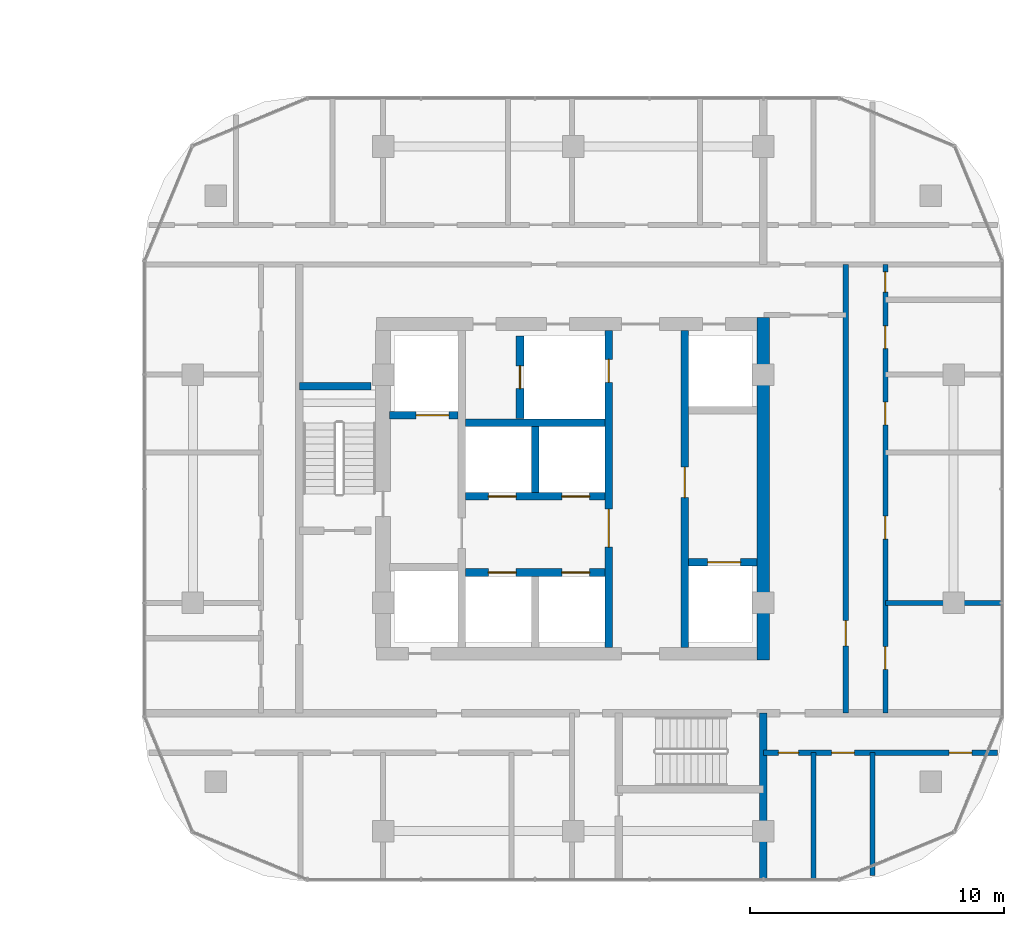
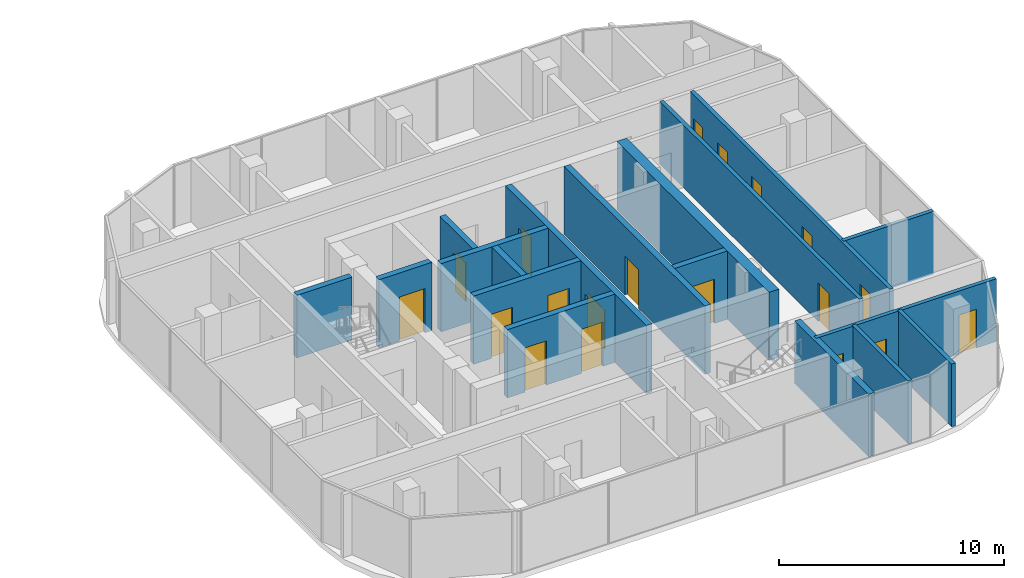
# One storey, part 22 of 32: 19 doors, 18 walls, 19 openings.
"""IFC4 building model written with IfcOpenShell, lengths in metres."""

from ifc_helpers import new_model, si_unit, direction, frame, frame_2d, origin, place, context, subcontext, project, spatial, rectangle, extrude, material, layer, layer_set, type_object, element, fill, save


model = new_model("IFC4")

# Units and contexts
model_context = context("Model", 3, precision=1e-05, world=origin(), true_north=direction((0.0, 1.0)))
body_context = subcontext(model_context, "Body", "Model", "MODEL_VIEW")
ifc_project = project(units=[si_unit("LENGTHUNIT", "METRE"), si_unit("AREAUNIT", "SQUARE_METRE"), si_unit("VOLUMEUNIT", "CUBIC_METRE"), si_unit("PLANEANGLEUNIT", "RADIAN"), si_unit("MASSUNIT", "GRAM", prefix="KILO")], contexts=[model_context])

# Site, building, storey
site_placement = place(None, origin())
site = spatial("IfcSite", under=ifc_project, at=site_placement, CompositionType="ELEMENT")
building_placement = place(site_placement, origin())
building = spatial("IfcBuilding", under=site, at=building_placement, Name="Ogive Portal Towers", CompositionType="ELEMENT")
storey_placement = place(building_placement, frame((0.0, 0.0, 59.39990234375)))
storey = spatial("IfcBuildingStorey", under=building, at=storey_placement, Name="L13", CompositionType="ELEMENT", Elevation=59.39990234375)

# Wall, openings, doors
ifc_material_1 = material(Name="Concrete C60/75", Category="concrete")
ifc_layer_1 = layer(ifc_material_1, 0.300048828125)
ifc_layer_set_1 = layer_set([ifc_layer_1], Name="CORE WALL 300 C60")
wall_type_1 = type_object("IfcWallType", Name="CORE WALL 300 C60", PredefinedType="SHEAR", material=ifc_layer_set_1)
wall_1_placement = place(storey_placement, frame((137.89990234375, 24.75, 0.0), z_axis=(0.0, 0.0, 1.0), x_axis=(0.0, 1.0, 0.0)))
wall_1 = element("IfcWall", 1, at=wall_1_placement, inside=storey, type_object=wall_type_1, Name="Tower B core wall BX2 L13", PredefinedType="SHEAR", context=body_context, shape_type="SweptSolid", body=[
    extrude(rectangle(XDim=12.5, YDim=0.300048828125, at=frame_2d((6.25, 0.0))), origin(), (0.0, 0.0, 1.0), 3.7001953125),
])
opening_1_placement = place(wall_1_placement, frame((3.949951171875, 0.0, 0.0)))
opening_1 = element("IfcOpeningElement", 2, at=opening_1_placement, cuts=wall_1, Name="Opening B03-040", PredefinedType="OPENING", context=body_context, shape_type="SweptSolid", body=[
    extrude(rectangle(XDim=1.5, YDim=2.10009765625, at=frame_2d((0.75, 1.050048828125))), frame((0.0, 0.16015625, 0.0), z_axis=(0.0, -1.0, 0.0), x_axis=(1.0, 0.0, 0.0)), (0.0, 0.0, 1.0), 0.320068359375),
])
opening_2_placement = place(wall_1_placement, frame((10.449951171875, 0.0, 0.0)))
opening_2 = element("IfcOpeningElement", 3, at=opening_2_placement, cuts=wall_1, Name="Opening B03-056", PredefinedType="OPENING", context=body_context, shape_type="SweptSolid", body=[
    extrude(rectangle(XDim=0.89990234375, YDim=2.10009765625, at=frame_2d((0.449951171875, 1.050048828125))), frame((0.0, 0.16015625, 0.0), z_axis=(0.0, -1.0, 0.0), x_axis=(1.0, 0.0, 0.0)), (0.0, 0.0, 1.0), 0.320068359375),
])
ifc_material_2 = material(Name="Steel fire door", Category="steel")
door_type_1 = type_object("IfcDoorType", Name="DT-SWING-1500x2100-FD90S", OperationType="SINGLE_SWING_LEFT", PredefinedType="DOOR", material=ifc_material_2)
door_1_placement = place(opening_1_placement, origin())
door_1 = element("IfcDoor", 4, at=door_1_placement, inside=storey, type_object=door_type_1, Name="Door B03-040", OperationType="SINGLE_SWING_RIGHT", OverallHeight=2.10009765625, OverallWidth=1.5, PredefinedType="DOOR", context=body_context, shape_type="SweptSolid", body=[
    extrude(rectangle(XDim=1.5, YDim=2.10009765625, at=frame_2d((0.75, 1.050048828125))), frame((0.0, 0.02490234375, 0.0), z_axis=(0.0, -1.0, 0.0), x_axis=(1.0, 0.0, 0.0)), (0.0, 0.0, 1.0), 0.050048828125),
])
fill(opening_1, door_1)
door_type_2 = type_object("IfcDoorType", Name="DT-SWING-900x2100-FD90S", OperationType="SINGLE_SWING_LEFT", PredefinedType="DOOR", material=ifc_material_2)
door_2_placement = place(opening_2_placement, origin())
door_2 = element("IfcDoor", 5, at=door_2_placement, inside=storey, type_object=door_type_2, Name="Riser access door B03-056", OperationType="SINGLE_SWING_RIGHT", OverallHeight=2.10009765625, OverallWidth=0.89990234375, PredefinedType="DOOR", context=body_context, shape_type="SweptSolid", body=[
    extrude(rectangle(XDim=0.89990234375, YDim=2.10009765625, at=frame_2d((0.449951171875, 1.050048828125))), frame((0.0, 0.02490234375, 0.0), z_axis=(0.0, -1.0, 0.0), x_axis=(1.0, 0.0, 0.0)), (0.0, 0.0, 1.0), 0.050048828125),
])
fill(opening_2, door_2)

# Wall, opening, door
wall_2_placement = place(storey_placement, frame((140.89990234375, 24.75, 0.0), z_axis=(0.0, 0.0, 1.0), x_axis=(0.0, 1.0, 0.0)))
wall_2 = element("IfcWall", 6, at=wall_2_placement, inside=storey, type_object=wall_type_1, Name="Tower B core wall BX3 L13", PredefinedType="SHEAR", context=body_context, shape_type="SweptSolid", body=[
    extrude(rectangle(XDim=12.5, YDim=0.300048828125, at=frame_2d((6.25, 0.0))), origin(), (0.0, 0.0, 1.0), 3.7001953125),
])
opening_3_placement = place(wall_2_placement, frame((5.89990234375, 0.0, 0.0)))
opening_3 = element("IfcOpeningElement", 7, at=opening_3_placement, cuts=wall_2, Name="Opening B03-042", PredefinedType="OPENING", context=body_context, shape_type="SweptSolid", body=[
    extrude(rectangle(XDim=1.199951171875, YDim=2.10009765625, at=frame_2d((0.60009765625, 1.050048828125))), frame((0.0, 0.16015625, 0.0), z_axis=(0.0, -1.0, 0.0), x_axis=(1.0, 0.0, 0.0)), (0.0, 0.0, 1.0), 0.320068359375),
])
door_type_3 = type_object("IfcDoorType", Name="DT-SWING-1200x2100-FD90S", OperationType="SINGLE_SWING_LEFT", PredefinedType="DOOR", material=ifc_material_2)
door_3_placement = place(opening_3_placement, origin())
door_3 = element("IfcDoor", 8, at=door_3_placement, inside=storey, type_object=door_type_3, Name="Door B03-042", OperationType="SINGLE_SWING_RIGHT", OverallHeight=2.10009765625, OverallWidth=1.199951171875, PredefinedType="DOOR", context=body_context, shape_type="SweptSolid", body=[
    extrude(rectangle(XDim=1.199951171875, YDim=2.10009765625, at=frame_2d((0.60009765625, 1.050048828125))), frame((0.0, 0.02490234375, 0.0), z_axis=(0.0, -1.0, 0.0), x_axis=(1.0, 0.0, 0.0)), (0.0, 0.0, 1.0), 0.050048828125),
])
fill(opening_3, door_3)

# Wall
wall_3_placement = place(storey_placement, frame((135.0, 30.85009765625, 0.0), z_axis=(0.0, 0.0, 1.0), x_axis=(0.0, 1.0, 0.0)))
element("IfcWall", 9, at=wall_3_placement, inside=storey, type_object=wall_type_1, Name="Tower B core wall BX5 L13", PredefinedType="SHEAR", context=body_context, shape_type="SweptSolid", body=[
    extrude(rectangle(XDim=2.599853515625, YDim=0.300048828125, at=frame_2d((1.2998046875, 0.0))), origin(), (0.0, 0.0, 1.0), 3.7001953125),
])

# Wall, openings, doors
wall_4_placement = place(storey_placement, frame((132.25, 27.699951171875, 0.0), z_axis=(0.0, 0.0, 1.0), x_axis=(1.0, 0.0, 0.0)))
wall_4 = element("IfcWall", 10, at=wall_4_placement, inside=storey, type_object=wall_type_1, Name="Tower B core wall BY1 L13", PredefinedType="SHEAR", context=body_context, shape_type="SweptSolid", body=[
    extrude(rectangle(XDim=5.5, YDim=0.300048828125, at=frame_2d((2.75, 0.0))), origin(), (0.0, 0.0, 1.0), 3.7001953125),
])
opening_4_placement = place(wall_4_placement, frame((0.89990234375, 0.0, 0.0)))
opening_4 = element("IfcOpeningElement", 11, at=opening_4_placement, cuts=wall_4, Name="Opening B03-048", PredefinedType="OPENING", context=body_context, shape_type="SweptSolid", body=[
    extrude(rectangle(XDim=1.10009765625, YDim=2.39990234375, at=frame_2d((0.550048828125, 1.199951171875))), frame((0.0, 0.16015625, 0.0), z_axis=(0.0, -1.0, 0.0), x_axis=(1.0, 0.0, 0.0)), (0.0, 0.0, 1.0), 0.320068359375),
])
opening_5_placement = place(wall_4_placement, frame((3.800048828125, 0.0, 0.0)))
opening_5 = element("IfcOpeningElement", 12, at=opening_5_placement, cuts=wall_4, Name="Opening B03-049", PredefinedType="OPENING", context=body_context, shape_type="SweptSolid", body=[
    extrude(rectangle(XDim=1.10009765625, YDim=2.39990234375, at=frame_2d((0.550048828125, 1.199951171875))), frame((0.0, 0.16015625, 0.0), z_axis=(0.0, -1.0, 0.0), x_axis=(1.0, 0.0, 0.0)), (0.0, 0.0, 1.0), 0.320068359375),
])
ifc_material_3 = material(Name="Stainless steel", Category="steel")
door_type_4 = type_object("IfcDoorType", Name="DT-LD-1100x2400", OperationType="SLIDING_TO_LEFT", PredefinedType="DOOR", material=ifc_material_3)
door_4_placement = place(opening_4_placement, origin())
door_4 = element("IfcDoor", 13, at=door_4_placement, inside=storey, type_object=door_type_4, Name="Door B03-048", OperationType="SLIDING_TO_LEFT", OverallHeight=2.39990234375, OverallWidth=1.10009765625, PredefinedType="DOOR", context=body_context, shape_type="SweptSolid", body=[
    extrude(rectangle(XDim=1.10009765625, YDim=2.39990234375, at=frame_2d((0.550048828125, 1.199951171875))), frame((0.0, 0.02490234375, 0.0), z_axis=(0.0, -1.0, 0.0), x_axis=(1.0, 0.0, 0.0)), (0.0, 0.0, 1.0), 0.050048828125),
])
fill(opening_4, door_4)
door_5_placement = place(opening_5_placement, origin())
door_5 = element("IfcDoor", 14, at=door_5_placement, inside=storey, type_object=door_type_4, Name="Door B03-049", OperationType="SLIDING_TO_LEFT", OverallHeight=2.39990234375, OverallWidth=1.10009765625, PredefinedType="DOOR", context=body_context, shape_type="SweptSolid", body=[
    extrude(rectangle(XDim=1.10009765625, YDim=2.39990234375, at=frame_2d((0.550048828125, 1.199951171875))), frame((0.0, 0.02490234375, 0.0), z_axis=(0.0, -1.0, 0.0), x_axis=(1.0, 0.0, 0.0)), (0.0, 0.0, 1.0), 0.050048828125),
])
fill(opening_5, door_5)

wall_5_placement = place(storey_placement, frame((132.25, 30.699951171875, 0.0), z_axis=(0.0, 0.0, 1.0), x_axis=(1.0, 0.0, 0.0)))
wall_5 = element("IfcWall", 15, at=wall_5_placement, inside=storey, type_object=wall_type_1, Name="Tower B core wall BY2 L13", PredefinedType="SHEAR", context=body_context, shape_type="SweptSolid", body=[
    extrude(rectangle(XDim=5.5, YDim=0.300048828125, at=frame_2d((2.75, 0.0))), origin(), (0.0, 0.0, 1.0), 3.7001953125),
])
opening_6_placement = place(wall_5_placement, frame((0.89990234375, 0.0, 0.0)))
opening_6 = element("IfcOpeningElement", 16, at=opening_6_placement, cuts=wall_5, Name="Opening B03-050", PredefinedType="OPENING", context=body_context, shape_type="SweptSolid", body=[
    extrude(rectangle(XDim=1.10009765625, YDim=2.39990234375, at=frame_2d((0.550048828125, 1.199951171875))), frame((0.0, 0.16015625, 0.0), z_axis=(0.0, -1.0, 0.0), x_axis=(1.0, 0.0, 0.0)), (0.0, 0.0, 1.0), 0.320068359375),
])
opening_7_placement = place(wall_5_placement, frame((3.800048828125, 0.0, 0.0)))
opening_7 = element("IfcOpeningElement", 17, at=opening_7_placement, cuts=wall_5, Name="Opening B03-051", PredefinedType="OPENING", context=body_context, shape_type="SweptSolid", body=[
    extrude(rectangle(XDim=1.10009765625, YDim=2.39990234375, at=frame_2d((0.550048828125, 1.199951171875))), frame((0.0, 0.16015625, 0.0), z_axis=(0.0, -1.0, 0.0), x_axis=(1.0, 0.0, 0.0)), (0.0, 0.0, 1.0), 0.320068359375),
])
door_6_placement = place(opening_6_placement, origin())
door_6 = element("IfcDoor", 18, at=door_6_placement, inside=storey, type_object=door_type_4, Name="Door B03-050", OperationType="SLIDING_TO_LEFT", OverallHeight=2.39990234375, OverallWidth=1.10009765625, PredefinedType="DOOR", context=body_context, shape_type="SweptSolid", body=[
    extrude(rectangle(XDim=1.10009765625, YDim=2.39990234375, at=frame_2d((0.550048828125, 1.199951171875))), frame((0.0, 0.02490234375, 0.0), z_axis=(0.0, -1.0, 0.0), x_axis=(1.0, 0.0, 0.0)), (0.0, 0.0, 1.0), 0.050048828125),
])
fill(opening_6, door_6)
door_7_placement = place(opening_7_placement, origin())
door_7 = element("IfcDoor", 19, at=door_7_placement, inside=storey, type_object=door_type_4, Name="Door B03-051", OperationType="SLIDING_TO_LEFT", OverallHeight=2.39990234375, OverallWidth=1.10009765625, PredefinedType="DOOR", context=body_context, shape_type="SweptSolid", body=[
    extrude(rectangle(XDim=1.10009765625, YDim=2.39990234375, at=frame_2d((0.550048828125, 1.199951171875))), frame((0.0, 0.02490234375, 0.0), z_axis=(0.0, -1.0, 0.0), x_axis=(1.0, 0.0, 0.0)), (0.0, 0.0, 1.0), 0.050048828125),
])
fill(opening_7, door_7)

# Wall
wall_6_placement = place(storey_placement, frame((132.25, 33.60009765625, 0.0), z_axis=(0.0, 0.0, 1.0), x_axis=(1.0, 0.0, 0.0)))
element("IfcWall", 20, at=wall_6_placement, inside=storey, type_object=wall_type_1, Name="Tower B core wall BY3 L13", PredefinedType="SHEAR", context=body_context, shape_type="SweptSolid", body=[
    extrude(rectangle(XDim=5.5, YDim=0.300048828125, at=frame_2d((2.75, 0.0))), origin(), (0.0, 0.0, 1.0), 3.7001953125),
])

# Wall, opening, door
wall_7_placement = place(storey_placement, frame((129.25, 33.89990234375, 0.0), z_axis=(0.0, 0.0, 1.0), x_axis=(1.0, 0.0, 0.0)))
wall_7 = element("IfcWall", 21, at=wall_7_placement, inside=storey, type_object=wall_type_1, Name="Tower B core wall BY5 L13", PredefinedType="SHEAR", context=body_context, shape_type="SweptSolid", body=[
    extrude(rectangle(XDim=2.699951171875, YDim=0.300048828125, at=frame_2d((1.35009765625, 0.0))), origin(), (0.0, 0.0, 1.0), 3.7001953125),
])
opening_8_placement = place(wall_7_placement, frame((1.050048828125, 0.0, 0.0)))
opening_8 = element("IfcOpeningElement", 22, at=opening_8_placement, cuts=wall_7, Name="Opening B03-052", PredefinedType="OPENING", context=body_context, shape_type="SweptSolid", body=[
    extrude(rectangle(XDim=1.300048828125, YDim=2.39990234375, at=frame_2d((0.64990234375, 1.199951171875))), frame((0.0, 0.16015625, 0.0), z_axis=(0.0, -1.0, 0.0), x_axis=(1.0, 0.0, 0.0)), (0.0, 0.0, 1.0), 0.320068359375),
])
door_type_5 = type_object("IfcDoorType", Name="DT-LD-1300x2400", OperationType="SLIDING_TO_LEFT", PredefinedType="DOOR", material=ifc_material_3)
door_8_placement = place(opening_8_placement, origin())
door_8 = element("IfcDoor", 23, at=door_8_placement, inside=storey, type_object=door_type_5, Name="Door B03-052", OperationType="SLIDING_TO_LEFT", OverallHeight=2.39990234375, OverallWidth=1.300048828125, PredefinedType="DOOR", context=body_context, shape_type="SweptSolid", body=[
    extrude(rectangle(XDim=1.300048828125, YDim=2.39990234375, at=frame_2d((0.64990234375, 1.199951171875))), frame((0.0, 0.02490234375, 0.0), z_axis=(0.0, -1.0, 0.0), x_axis=(1.0, 0.0, 0.0)), (0.0, 0.0, 1.0), 0.050048828125),
])
fill(opening_8, door_8)

wall_8_placement = place(storey_placement, frame((141.050048828125, 28.10009765625, 0.0), z_axis=(0.0, 0.0, 1.0), x_axis=(1.0, 0.0, 0.0)))
wall_8 = element("IfcWall", 24, at=wall_8_placement, inside=storey, type_object=wall_type_1, Name="Tower B core wall BY6 L13", PredefinedType="SHEAR", context=body_context, shape_type="SweptSolid", body=[
    extrude(rectangle(XDim=2.699951171875, YDim=0.300048828125, at=frame_2d((1.35009765625, 0.0))), origin(), (0.0, 0.0, 1.0), 3.7001953125),
])
opening_9_placement = place(wall_8_placement, frame((0.75, 0.0, 0.0)))
opening_9 = element("IfcOpeningElement", 25, at=opening_9_placement, cuts=wall_8, Name="Opening B03-053", PredefinedType="OPENING", context=body_context, shape_type="SweptSolid", body=[
    extrude(rectangle(XDim=1.300048828125, YDim=2.39990234375, at=frame_2d((0.64990234375, 1.199951171875))), frame((0.0, 0.16015625, 0.0), z_axis=(0.0, -1.0, 0.0), x_axis=(1.0, 0.0, 0.0)), (0.0, 0.0, 1.0), 0.320068359375),
])
door_9_placement = place(opening_9_placement, origin())
door_9 = element("IfcDoor", 26, at=door_9_placement, inside=storey, type_object=door_type_5, Name="Door B03-053", OperationType="SLIDING_TO_LEFT", OverallHeight=2.39990234375, OverallWidth=1.300048828125, PredefinedType="DOOR", context=body_context, shape_type="SweptSolid", body=[
    extrude(rectangle(XDim=1.300048828125, YDim=2.39990234375, at=frame_2d((0.64990234375, 1.199951171875))), frame((0.0, 0.02490234375, 0.0), z_axis=(0.0, -1.0, 0.0), x_axis=(1.0, 0.0, 0.0)), (0.0, 0.0, 1.0), 0.050048828125),
])
fill(opening_9, door_9)

# Walls
ifc_layer_2 = layer(ifc_material_1, 0.5)
ifc_layer_set_2 = layer_set([ifc_layer_2], Name="CORE WALL 500 C60")
wall_type_2 = type_object("IfcWallType", Name="CORE WALL 500 C60", PredefinedType="SHEAR", material=ifc_layer_set_2)
wall_9_placement = place(storey_placement, frame((144.0, 24.25, 0.0), z_axis=(0.0, 0.0, 1.0), x_axis=(0.0, 1.0, 0.0)))
element("IfcWall", 27, at=wall_9_placement, inside=storey, type_object=wall_type_2, Name="Tower B core wall BE L13", PredefinedType="SHEAR", context=body_context, shape_type="SweptSolid", body=[
    extrude(rectangle(XDim=13.5, YDim=0.5, at=frame_2d((6.75, 0.0))), origin(), (0.0, 0.0, 1.0), 3.7001953125),
])
ifc_material_4 = material(Name="Concrete C50/60", Category="concrete")
ifc_layer_3 = layer(ifc_material_4, 0.300048828125)
ifc_layer_set_3 = layer_set([ifc_layer_3], Name="STAIR WALL 300 C50")
wall_type_3 = type_object("IfcWallType", Name="STAIR WALL 300 C50", PredefinedType="SHEAR", material=ifc_layer_set_3)
wall_10_placement = place(storey_placement, frame((125.699951171875, 35.050048828125, 0.0), z_axis=(0.0, 0.0, 1.0), x_axis=(1.0, 0.0, 0.0)))
element("IfcWall", 28, at=wall_10_placement, inside=storey, type_object=wall_type_3, Name="Stair wall ST-B1 L13", PredefinedType="SHEAR", context=body_context, shape_type="SweptSolid", body=[
    extrude(rectangle(XDim=2.830078125, YDim=0.300048828125, at=frame_2d((1.4150390625, 0.0))), origin(), (0.0, 0.0, 1.0), 3.400146484375),
])
wall_11_placement = place(storey_placement, frame((144.0, 15.580078125, 0.0), z_axis=(0.0, 0.0, 1.0), x_axis=(0.0, 1.0, 0.0)))
element("IfcWall", 29, at=wall_11_placement, inside=storey, type_object=wall_type_3, Name="Stair wall ST-B2 L13", PredefinedType="SHEAR", context=body_context, shape_type="SweptSolid", body=[
    extrude(rectangle(XDim=6.56982421875, YDim=0.300048828125, at=frame_2d((3.284912109375, 0.0))), origin(), (0.0, 0.0, 1.0), 3.400146484375),
])

# Wall, openings, doors
ifc_material_5 = material(Name="Gypsum board partition on steel studs", Category="steel")
ifc_layer_4 = layer(ifc_material_5, 0.199951171875)
ifc_layer_set_4 = layer_set([ifc_layer_4], Name="WT-PART-200-EI 60")
wall_type_4 = type_object("IfcWallType", Name="WT-PART-200-EI 60", PredefinedType="PARTITIONING", material=ifc_layer_set_4)
wall_12_placement = place(storey_placement, frame((144.0, 20.590087890625, 0.0), z_axis=(0.0, 0.0, 1.0), x_axis=(1.0, 0.0, 0.0)))
wall_12 = element("IfcWall", 30, at=wall_12_placement, inside=storey, type_object=wall_type_4, Name="Wall L13:w003", PredefinedType="PARTITIONING", context=body_context, shape_type="SweptSolid", body=[
    extrude(rectangle(XDim=9.23388671875, YDim=0.199951171875, at=frame_2d((4.616943359375, 0.0))), origin(), (0.0, 0.0, 1.0), 3.400146484375),
])
opening_10_placement = place(wall_12_placement, frame((0.5869140625, 0.0, 0.0)))
opening_10 = element("IfcOpeningElement", 31, at=opening_10_placement, cuts=wall_12, Name="Opening B03-023", PredefinedType="OPENING", context=body_context, shape_type="SweptSolid", body=[
    extrude(rectangle(XDim=0.800048828125, YDim=2.10009765625, at=frame_2d((0.39990234375, 1.050048828125))), frame((0.0, 0.10986328125, 0.0), z_axis=(0.0, -1.0, 0.0), x_axis=(1.0, 0.0, 0.0)), (0.0, 0.0, 1.0), 0.219970703125),
])
opening_11_placement = place(wall_12_placement, frame((2.68896484375, 0.0, 0.0)))
opening_11 = element("IfcOpeningElement", 32, at=opening_11_placement, cuts=wall_12, Name="Opening B03-024", PredefinedType="OPENING", context=body_context, shape_type="SweptSolid", body=[
    extrude(rectangle(XDim=0.89990234375, YDim=2.10009765625, at=frame_2d((0.449951171875, 1.050048828125))), frame((0.0, 0.10986328125, 0.0), z_axis=(0.0, -1.0, 0.0), x_axis=(1.0, 0.0, 0.0)), (0.0, 0.0, 1.0), 0.219970703125),
])
opening_12_placement = place(wall_12_placement, frame((7.322021484375, 0.0, 0.0)))
opening_12 = element("IfcOpeningElement", 33, at=opening_12_placement, cuts=wall_12, Name="Opening B03-025", PredefinedType="OPENING", context=body_context, shape_type="SweptSolid", body=[
    extrude(rectangle(XDim=0.89990234375, YDim=2.10009765625, at=frame_2d((0.449951171875, 1.050048828125))), frame((0.0, 0.10986328125, 0.0), z_axis=(0.0, -1.0, 0.0), x_axis=(1.0, 0.0, 0.0)), (0.0, 0.0, 1.0), 0.219970703125),
])
door_type_6 = type_object("IfcDoorType", Name="DT-SWING-800x2100-FD60S", OperationType="SINGLE_SWING_LEFT", PredefinedType="DOOR", material=ifc_material_2)
door_10_placement = place(opening_10_placement, origin())
door_10 = element("IfcDoor", 34, at=door_10_placement, inside=storey, type_object=door_type_6, Name="Door B03-023", OperationType="SINGLE_SWING_LEFT", OverallHeight=2.10009765625, OverallWidth=0.800048828125, PredefinedType="DOOR", context=body_context, shape_type="SweptSolid", body=[
    extrude(rectangle(XDim=0.800048828125, YDim=2.10009765625, at=frame_2d((0.39990234375, 1.050048828125))), frame((0.0, 0.02490234375, 0.0), z_axis=(0.0, -1.0, 0.0), x_axis=(1.0, 0.0, 0.0)), (0.0, 0.0, 1.0), 0.050048828125),
])
fill(opening_10, door_10)
door_type_7 = type_object("IfcDoorType", Name="DT-SWING-900x2100-FD60S", OperationType="SINGLE_SWING_LEFT", PredefinedType="DOOR", material=ifc_material_2)
door_11_placement = place(opening_11_placement, origin())
door_11 = element("IfcDoor", 35, at=door_11_placement, inside=storey, type_object=door_type_7, Name="Door B03-024", OperationType="SINGLE_SWING_RIGHT", OverallHeight=2.10009765625, OverallWidth=0.89990234375, PredefinedType="DOOR", context=body_context, shape_type="SweptSolid", body=[
    extrude(rectangle(XDim=0.89990234375, YDim=2.10009765625, at=frame_2d((0.449951171875, 1.050048828125))), frame((0.0, 0.02490234375, 0.0), z_axis=(0.0, -1.0, 0.0), x_axis=(1.0, 0.0, 0.0)), (0.0, 0.0, 1.0), 0.050048828125),
])
fill(opening_11, door_11)
door_12_placement = place(opening_12_placement, origin())
door_12 = element("IfcDoor", 36, at=door_12_placement, inside=storey, type_object=door_type_7, Name="Door B03-025", OperationType="SINGLE_SWING_LEFT", OverallHeight=2.10009765625, OverallWidth=0.89990234375, PredefinedType="DOOR", context=body_context, shape_type="SweptSolid", body=[
    extrude(rectangle(XDim=0.89990234375, YDim=2.10009765625, at=frame_2d((0.449951171875, 1.050048828125))), frame((0.0, 0.02490234375, 0.0), z_axis=(0.0, -1.0, 0.0), x_axis=(1.0, 0.0, 0.0)), (0.0, 0.0, 1.0), 0.050048828125),
])
fill(opening_12, door_12)

# Walls
wall_13_placement = place(storey_placement, frame((148.81005859375, 26.5, 0.0), z_axis=(0.0, 0.0, 1.0), x_axis=(1.0, 0.0, 0.0)))
element("IfcWall", 37, at=wall_13_placement, inside=storey, type_object=wall_type_4, Name="Wall L13:w009", PredefinedType="PARTITIONING", context=body_context, shape_type="SweptSolid", body=[
    extrude(rectangle(XDim=4.60986328125, YDim=0.199951171875, at=frame_2d((2.304931640625, 0.0))), origin(), (0.0, 0.0, 1.0), 3.400146484375),
])
wall_14_placement = place(storey_placement, frame((145.97412109375, 15.580078125, 0.0), z_axis=(0.0, 0.0, 1.0), x_axis=(0.0, 1.0, 0.0)))
element("IfcWall", 38, at=wall_14_placement, inside=storey, type_object=wall_type_4, Name="Wall L13:w041", PredefinedType="PARTITIONING", context=body_context, shape_type="SweptSolid", body=[
    extrude(rectangle(XDim=5.010009765625, YDim=0.199951171875, at=frame_2d((2.5048828125, 0.0))), origin(), (0.0, 0.0, 1.0), 3.400146484375),
])

# Wall, opening, door
wall_15_placement = place(storey_placement, frame((147.25, 22.14990234375, 0.0), z_axis=(0.0, 0.0, 1.0), x_axis=(0.0, 1.0, 0.0)))
wall_15 = element("IfcWall", 39, at=wall_15_placement, inside=storey, type_object=wall_type_4, Name="Wall L13:w043", PredefinedType="PARTITIONING", context=body_context, shape_type="SweptSolid", body=[
    extrude(rectangle(XDim=17.7001953125, YDim=0.199951171875, at=frame_2d((8.85009765625, 0.0))), origin(), (0.0, 0.0, 1.0), 3.400146484375),
])
opening_13_placement = place(wall_15_placement, frame((2.64990234375, 0.0, 0.0)))
opening_13 = element("IfcOpeningElement", 40, at=opening_13_placement, cuts=wall_15, Name="Opening B03-034", PredefinedType="OPENING", context=body_context, shape_type="SweptSolid", body=[
    extrude(rectangle(XDim=1.0, YDim=2.10009765625, at=frame_2d((0.5, 1.050048828125))), frame((0.0, 0.10986328125, 0.0), z_axis=(0.0, -1.0, 0.0), x_axis=(1.0, 0.0, 0.0)), (0.0, 0.0, 1.0), 0.219970703125),
])
door_type_8 = type_object("IfcDoorType", Name="DT-SWING-1000x2100-FD60S", OperationType="SINGLE_SWING_LEFT", PredefinedType="DOOR", material=ifc_material_2)
door_13_placement = place(opening_13_placement, origin())
door_13 = element("IfcDoor", 41, at=door_13_placement, inside=storey, type_object=door_type_8, Name="Door B03-034", OperationType="SINGLE_SWING_RIGHT", OverallHeight=2.10009765625, OverallWidth=1.0, PredefinedType="DOOR", context=body_context, shape_type="SweptSolid", body=[
    extrude(rectangle(XDim=1.0, YDim=2.10009765625, at=frame_2d((0.5, 1.050048828125))), frame((0.0, 0.02490234375, 0.0), z_axis=(0.0, -1.0, 0.0), x_axis=(1.0, 0.0, 0.0)), (0.0, 0.0, 1.0), 0.050048828125),
])
fill(opening_13, door_13)

# Wall
wall_16_placement = place(storey_placement, frame((148.303955078125, 15.751953125, 0.0), z_axis=(0.0, 0.0, 1.0), x_axis=(0.0, 1.0, 0.0)))
element("IfcWall", 42, at=wall_16_placement, inside=storey, type_object=wall_type_4, Name="Wall L13:w044", PredefinedType="PARTITIONING", context=body_context, shape_type="SweptSolid", body=[
    extrude(rectangle(XDim=4.838134765625, YDim=0.199951171875, at=frame_2d((2.4189453125, 0.0))), origin(), (0.0, 0.0, 1.0), 3.400146484375),
])

# Wall, openings, doors
wall_17_placement = place(storey_placement, frame((148.81005859375, 22.14990234375, 0.0), z_axis=(0.0, 0.0, 1.0), x_axis=(0.0, 1.0, 0.0)))
wall_17 = element("IfcWall", 43, at=wall_17_placement, inside=storey, type_object=wall_type_4, Name="Wall L13:w046", PredefinedType="PARTITIONING", context=body_context, shape_type="SweptSolid", body=[
    extrude(rectangle(XDim=17.7001953125, YDim=0.199951171875, at=frame_2d((8.85009765625, 0.0))), origin(), (0.0, 0.0, 1.0), 3.400146484375),
])
opening_14_placement = place(wall_17_placement, frame((1.72509765625, 0.0, 0.0)))
opening_14 = element("IfcOpeningElement", 44, at=opening_14_placement, cuts=wall_17, Name="Opening B03-035", PredefinedType="OPENING", context=body_context, shape_type="SweptSolid", body=[
    extrude(rectangle(XDim=0.89990234375, YDim=2.10009765625, at=frame_2d((0.449951171875, 1.050048828125))), frame((0.0, 0.10986328125, 0.0), z_axis=(0.0, -1.0, 0.0), x_axis=(1.0, 0.0, 0.0)), (0.0, 0.0, 1.0), 0.219970703125),
])
opening_15_placement = place(wall_17_placement, frame((6.866943359375, 0.0, 0.0)))
opening_15 = element("IfcOpeningElement", 45, at=opening_15_placement, cuts=wall_17, Name="Opening B03-036", PredefinedType="OPENING", context=body_context, shape_type="SweptSolid", body=[
    extrude(rectangle(XDim=0.89990234375, YDim=2.10009765625, at=frame_2d((0.449951171875, 1.050048828125))), frame((0.0, 0.10986328125, 0.0), z_axis=(0.0, -1.0, 0.0), x_axis=(1.0, 0.0, 0.0)), (0.0, 0.0, 1.0), 0.219970703125),
])
opening_16_placement = place(wall_17_placement, frame((11.366943359375, 0.0, 0.0)))
opening_16 = element("IfcOpeningElement", 46, at=opening_16_placement, cuts=wall_17, Name="Opening B03-037", PredefinedType="OPENING", context=body_context, shape_type="SweptSolid", body=[
    extrude(rectangle(XDim=0.89990234375, YDim=2.10009765625, at=frame_2d((0.449951171875, 1.050048828125))), frame((0.0, 0.10986328125, 0.0), z_axis=(0.0, -1.0, 0.0), x_axis=(1.0, 0.0, 0.0)), (0.0, 0.0, 1.0), 0.219970703125),
])
opening_17_placement = place(wall_17_placement, frame((14.3779296875, 0.0, 0.0)))
opening_17 = element("IfcOpeningElement", 47, at=opening_17_placement, cuts=wall_17, Name="Opening B03-038", PredefinedType="OPENING", context=body_context, shape_type="SweptSolid", body=[
    extrude(rectangle(XDim=0.89990234375, YDim=2.10009765625, at=frame_2d((0.449951171875, 1.050048828125))), frame((0.0, 0.10986328125, 0.0), z_axis=(0.0, -1.0, 0.0), x_axis=(1.0, 0.0, 0.0)), (0.0, 0.0, 1.0), 0.219970703125),
])
opening_18_placement = place(wall_17_placement, frame((16.60302734375, 0.0, 0.0)))
opening_18 = element("IfcOpeningElement", 48, at=opening_18_placement, cuts=wall_17, Name="Opening B03-039", PredefinedType="OPENING", context=body_context, shape_type="SweptSolid", body=[
    extrude(rectangle(XDim=0.800048828125, YDim=2.10009765625, at=frame_2d((0.39990234375, 1.050048828125))), frame((0.0, 0.10986328125, 0.0), z_axis=(0.0, -1.0, 0.0), x_axis=(1.0, 0.0, 0.0)), (0.0, 0.0, 1.0), 0.219970703125),
])
door_14_placement = place(opening_18_placement, origin())
door_14 = element("IfcDoor", 49, at=door_14_placement, inside=storey, type_object=door_type_6, Name="Door B03-039", OperationType="SINGLE_SWING_LEFT", OverallHeight=2.10009765625, OverallWidth=0.800048828125, PredefinedType="DOOR", context=body_context, shape_type="SweptSolid", body=[
    extrude(rectangle(XDim=0.800048828125, YDim=2.10009765625, at=frame_2d((0.39990234375, 1.050048828125))), frame((0.0, 0.02490234375, 0.0), z_axis=(0.0, -1.0, 0.0), x_axis=(1.0, 0.0, 0.0)), (0.0, 0.0, 1.0), 0.050048828125),
])
fill(opening_18, door_14)
door_15_placement = place(opening_14_placement, origin())
door_15 = element("IfcDoor", 50, at=door_15_placement, inside=storey, type_object=door_type_7, Name="Door B03-035", OperationType="SINGLE_SWING_LEFT", OverallHeight=2.10009765625, OverallWidth=0.89990234375, PredefinedType="DOOR", context=body_context, shape_type="SweptSolid", body=[
    extrude(rectangle(XDim=0.89990234375, YDim=2.10009765625, at=frame_2d((0.449951171875, 1.050048828125))), frame((0.0, 0.02490234375, 0.0), z_axis=(0.0, -1.0, 0.0), x_axis=(1.0, 0.0, 0.0)), (0.0, 0.0, 1.0), 0.050048828125),
])
fill(opening_14, door_15)
door_16_placement = place(opening_15_placement, origin())
door_16 = element("IfcDoor", 51, at=door_16_placement, inside=storey, type_object=door_type_7, Name="Door B03-036", OperationType="SINGLE_SWING_RIGHT", OverallHeight=2.10009765625, OverallWidth=0.89990234375, PredefinedType="DOOR", context=body_context, shape_type="SweptSolid", body=[
    extrude(rectangle(XDim=0.89990234375, YDim=2.10009765625, at=frame_2d((0.449951171875, 1.050048828125))), frame((0.0, 0.02490234375, 0.0), z_axis=(0.0, -1.0, 0.0), x_axis=(1.0, 0.0, 0.0)), (0.0, 0.0, 1.0), 0.050048828125),
])
fill(opening_15, door_16)
door_17_placement = place(opening_16_placement, origin())
door_17 = element("IfcDoor", 52, at=door_17_placement, inside=storey, type_object=door_type_7, Name="Door B03-037", OperationType="SINGLE_SWING_LEFT", OverallHeight=2.10009765625, OverallWidth=0.89990234375, PredefinedType="DOOR", context=body_context, shape_type="SweptSolid", body=[
    extrude(rectangle(XDim=0.89990234375, YDim=2.10009765625, at=frame_2d((0.449951171875, 1.050048828125))), frame((0.0, 0.02490234375, 0.0), z_axis=(0.0, -1.0, 0.0), x_axis=(1.0, 0.0, 0.0)), (0.0, 0.0, 1.0), 0.050048828125),
])
fill(opening_16, door_17)
door_18_placement = place(opening_17_placement, origin())
door_18 = element("IfcDoor", 53, at=door_18_placement, inside=storey, type_object=door_type_7, Name="Door B03-038", OperationType="SINGLE_SWING_RIGHT", OverallHeight=2.10009765625, OverallWidth=0.89990234375, PredefinedType="DOOR", context=body_context, shape_type="SweptSolid", body=[
    extrude(rectangle(XDim=0.89990234375, YDim=2.10009765625, at=frame_2d((0.449951171875, 1.050048828125))), frame((0.0, 0.02490234375, 0.0), z_axis=(0.0, -1.0, 0.0), x_axis=(1.0, 0.0, 0.0)), (0.0, 0.0, 1.0), 0.050048828125),
])
fill(opening_17, door_18)

# Wall, opening, door
ifc_layer_5 = layer(ifc_material_5, 0.300048828125)
ifc_layer_set_5 = layer_set([ifc_layer_5], Name="WT-PART-300-EI 60")
wall_type_5 = type_object("IfcWallType", Name="WT-PART-300-EI 60", PredefinedType="PARTITIONING", material=ifc_layer_set_5)
wall_18_placement = place(storey_placement, frame((134.39990234375, 33.77001953125, 0.0), z_axis=(0.0, 0.0, 1.0), x_axis=(0.0, 1.0, 0.0)))
wall_18 = element("IfcWall", 54, at=wall_18_placement, inside=storey, type_object=wall_type_5, Name="Wall L13:w032", PredefinedType="PARTITIONING", context=body_context, shape_type="SweptSolid", body=[
    extrude(rectangle(XDim=3.260009765625, YDim=0.300048828125, at=frame_2d((1.6298828125, 0.0))), origin(), (0.0, 0.0, 1.0), 3.400146484375),
])
opening_19_placement = place(wall_18_placement, frame((1.179931640625, 0.0, 0.0)))
opening_19 = element("IfcOpeningElement", 55, at=opening_19_placement, cuts=wall_18, Name="Opening B03-004", PredefinedType="OPENING", context=body_context, shape_type="SweptSolid", body=[
    extrude(rectangle(XDim=0.89990234375, YDim=2.10009765625, at=frame_2d((0.449951171875, 1.050048828125))), frame((0.0, 0.16015625, 0.0), z_axis=(0.0, -1.0, 0.0), x_axis=(1.0, 0.0, 0.0)), (0.0, 0.0, 1.0), 0.320068359375),
])
door_19_placement = place(opening_19_placement, origin())
door_19 = element("IfcDoor", 56, at=door_19_placement, inside=storey, type_object=door_type_7, Name="Riser access door B03-004", OperationType="SINGLE_SWING_RIGHT", OverallHeight=2.10009765625, OverallWidth=0.89990234375, PredefinedType="DOOR", context=body_context, shape_type="SweptSolid", body=[
    extrude(rectangle(XDim=0.89990234375, YDim=2.10009765625, at=frame_2d((0.449951171875, 1.050048828125))), frame((0.0, 0.02490234375, 0.0), z_axis=(0.0, -1.0, 0.0), x_axis=(1.0, 0.0, 0.0)), (0.0, 0.0, 1.0), 0.050048828125),
])
fill(opening_19, door_19)

save(model, "model.ifc")
